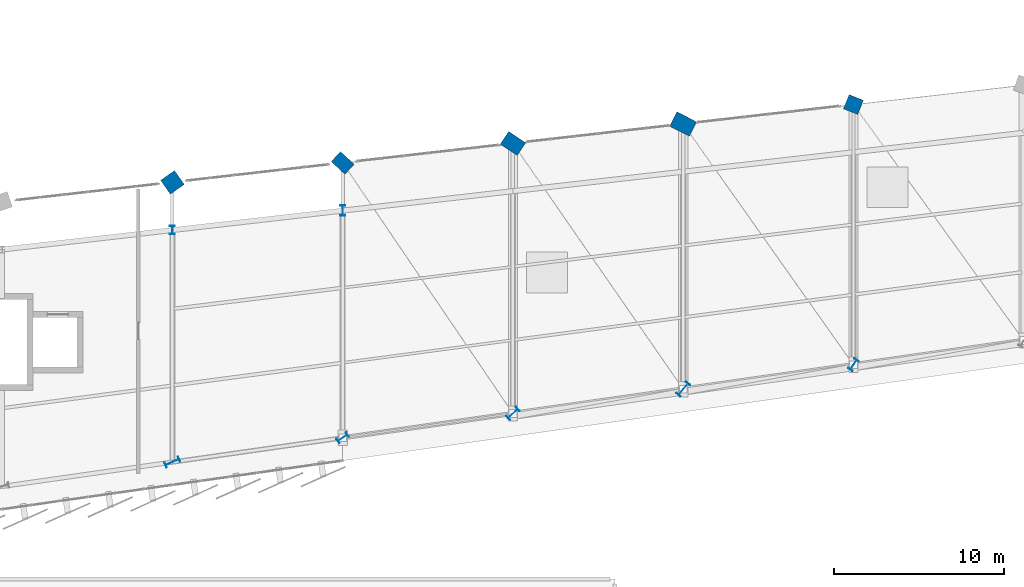
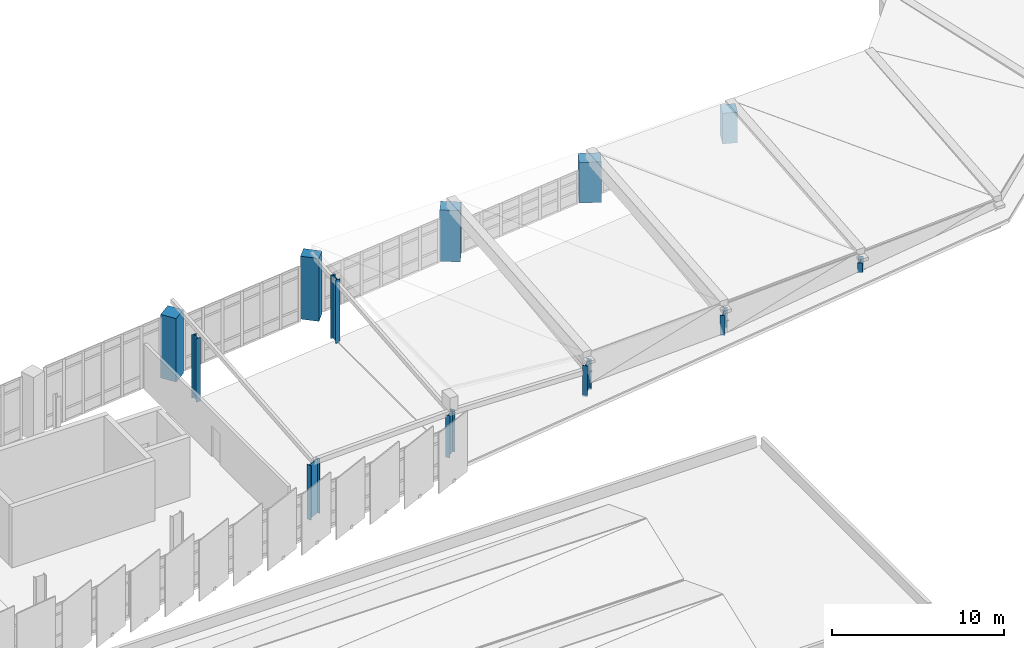
# One storey, part 4 of 67: 12 columns.
"""IFC4 building model written with IfcOpenShell, lengths in metres."""

from ifc_helpers import new_model, si_unit, direction, frame, origin, origin_2d, place, context, subcontext, project, spatial, rectangle, i_section, extrude, material, material_profile, profile_set, type_object, element, save


model = new_model("IFC4")

# Units and contexts
model_context = context("Model", 3, precision=1e-05, world=origin(), true_north=direction((0.0, 1.0)))
body_context = subcontext(model_context, "Body", "Model", "MODEL_VIEW")
ifc_project = project(units=[si_unit("LENGTHUNIT", "METRE"), si_unit("AREAUNIT", "SQUARE_METRE"), si_unit("VOLUMEUNIT", "CUBIC_METRE"), si_unit("PLANEANGLEUNIT", "RADIAN"), si_unit("MASSUNIT", "GRAM", prefix="KILO")], contexts=[model_context])

# Site, building, storey
site_placement = place(None, origin())
site = spatial("IfcSite", under=ifc_project, at=site_placement, CompositionType="ELEMENT")
building_placement = place(site_placement, origin())
building = spatial("IfcBuilding", under=site, at=building_placement, Name="Sohan Crest Arena", CompositionType="ELEMENT")
storey_placement = place(building_placement, frame((0.0, 0.0, 22.5)))
storey = spatial("IfcBuildingStorey", under=building, at=storey_placement, Name="L05", CompositionType="ELEMENT", Elevation=22.5)

# Columns
ifc_material_1 = material(Name="Concrete C40/50", Category="concrete")
ifc_material_profile_1 = material_profile(ifc_material_1, rectangle(XDim=0.89990234375, YDim=0.89990234375, at=origin_2d()), Name="RC 900x900")
ifc_profile_set_1 = profile_set([ifc_material_profile_1], Name="Concrete C40/50")
column_type_1 = type_object("IfcColumnType", Name="STR-COL-C07", PredefinedType="COLUMN", material=ifc_profile_set_1)
column_1_placement = place(storey_placement, frame((158.0, 53.85693359375, 0.0), z_axis=(0.0, 0.0, 1.0), x_axis=(-0.927836253899, 0.372987782576, 0.0)))
element("IfcColumn", 1, at=column_1_placement, inside=storey, type_object=column_type_1, Name="Structural column COL-V1R-19-L05", PredefinedType="COLUMN", context=body_context, shape_type="SweptSolid", body=[
    extrude(rectangle(XDim=0.89990234375, YDim=0.89990234375, at=origin_2d()), origin(), (0.0, 0.0, 1.0), 2.16796875),
])
ifc_material_profile_2 = material_profile(ifc_material_1, rectangle(XDim=1.0, YDim=1.0, at=origin_2d()), Name="RC 1000x1000")
ifc_profile_set_2 = profile_set([ifc_material_profile_2], Name="Concrete C40/50")
column_type_2 = type_object("IfcColumnType", Name="STR-COL-C09", PredefinedType="COLUMN", material=ifc_profile_set_2)
column_2_placement = place(storey_placement, frame((118.0, 49.285888671875, 0.0), z_axis=(0.0, 0.0, 1.0), x_axis=(-0.572145873446, 0.820151875874, 0.0)))
element("IfcColumn", 2, at=column_2_placement, inside=storey, type_object=column_type_2, Name="Structural column COL-V1R-15-L05", PredefinedType="COLUMN", context=body_context, shape_type="SweptSolid", body=[
    extrude(rectangle(XDim=1.0, YDim=1.0, at=origin_2d()), origin(), (0.0, 0.0, 1.0), 4.5),
])
ifc_material_profile_3 = material_profile(ifc_material_1, rectangle(XDim=1.10009765625, YDim=0.800048828125, at=origin_2d()), Name="RC 1100x800")
ifc_profile_set_3 = profile_set([ifc_material_profile_3], Name="Concrete C40/50")
column_type_3 = type_object("IfcColumnType", Name="STR-COL-C10", PredefinedType="COLUMN", material=ifc_profile_set_3)
column_3_placement = place(storey_placement, frame((128.0, 50.428955078125, 0.0), z_axis=(0.0, 0.0, 1.0), x_axis=(-0.73609708712, 0.676875969683, 0.0)))
element("IfcColumn", 3, at=column_3_placement, inside=storey, type_object=column_type_3, Name="Structural column COL-V1R-16-L05", PredefinedType="COLUMN", context=body_context, shape_type="SweptSolid", body=[
    extrude(rectangle(XDim=1.10009765625, YDim=0.800048828125, at=origin_2d()), origin(), (0.0, 0.0, 1.0), 4.45703125),
])
ifc_material_profile_4 = material_profile(ifc_material_1, rectangle(XDim=1.199951171875, YDim=0.89990234375, at=origin_2d()), Name="RC 1200x900")
ifc_profile_set_4 = profile_set([ifc_material_profile_4], Name="Concrete C40/50")
column_type_4 = type_object("IfcColumnType", Name="STR-COL-C11", PredefinedType="COLUMN", material=ifc_profile_set_4)
column_4_placement = place(storey_placement, frame((138.0, 51.571044921875, 0.0), z_axis=(0.0, 0.0, 1.0), x_axis=(-0.833885822067, 0.551936985312, 0.0)))
element("IfcColumn", 4, at=column_4_placement, inside=storey, type_object=column_type_4, Name="Structural column COL-V1R-17-L05", PredefinedType="COLUMN", context=body_context, shape_type="SweptSolid", body=[
    extrude(rectangle(XDim=1.199951171875, YDim=0.89990234375, at=origin_2d()), origin(), (0.0, 0.0, 1.0), 3.639892578125),
])
ifc_material_profile_5 = material_profile(ifc_material_1, rectangle(XDim=1.300048828125, YDim=0.949951171875, at=origin_2d()), Name="RC 1300x950")
ifc_profile_set_5 = profile_set([ifc_material_profile_5], Name="Concrete C40/50")
column_type_5 = type_object("IfcColumnType", Name="STR-COL-C12", PredefinedType="COLUMN", material=ifc_profile_set_5)
column_5_placement = place(storey_placement, frame((148.0, 52.714111328125, 0.0), z_axis=(0.0, 0.0, 1.0), x_axis=(-0.892585818452, 0.450877540689, 0.0)))
element("IfcColumn", 5, at=column_5_placement, inside=storey, type_object=column_type_5, Name="Structural column COL-V1R-18-L05", PredefinedType="COLUMN", context=body_context, shape_type="SweptSolid", body=[
    extrude(rectangle(XDim=1.300048828125, YDim=0.949951171875, at=origin_2d()), origin(), (0.0, 0.0, 1.0), 2.873046875),
])
ifc_material_2 = material(Name="Steel S355", Category="steel")
ifc_material_profile_6 = material_profile(ifc_material_2, i_section(OverallWidth=0.300048828125, OverallDepth=0.5, WebThickness=0.014404296875, FlangeThickness=0.028076171875, at=origin_2d()), Name="HEB 500")
ifc_profile_set_6 = profile_set([ifc_material_profile_6], Name="Steel S355")
column_type_6 = type_object("IfcColumnType", Name="STR-COL-C19", PredefinedType="COLUMN", material=ifc_profile_set_6)
column_6_placement = place(storey_placement, frame((118.0, 46.486083984375, 0.0), z_axis=(0.0, 0.0, 1.0), x_axis=(1.0, 0.0, 0.0)))
element("IfcColumn", 6, at=column_6_placement, inside=storey, type_object=column_type_6, Name="Structural column COL-V2I-15-L05", PredefinedType="COLUMN", context=body_context, shape_type="SweptSolid", body=[
    extrude(i_section(OverallWidth=0.300048828125, OverallDepth=0.5, WebThickness=0.014404296875, FlangeThickness=0.028076171875, at=origin_2d()), origin(), (0.0, 0.0, 1.0), 4.5),
])
ifc_material_profile_7 = material_profile(ifc_material_2, i_section(OverallWidth=0.300048828125, OverallDepth=0.60009765625, WebThickness=0.015380859375, FlangeThickness=0.030029296875, at=origin_2d()), Name="HEB 600")
ifc_profile_set_7 = profile_set([ifc_material_profile_7], Name="Steel S355")
column_type_7 = type_object("IfcColumnType", Name="STR-COL-C20", PredefinedType="COLUMN", material=ifc_profile_set_7)
column_7_placement = place(storey_placement, frame((128.0, 47.62890625, 0.0), z_axis=(0.0, 0.0, 1.0), x_axis=(1.0, 0.0, 0.0)))
element("IfcColumn", 7, at=column_7_placement, inside=storey, type_object=column_type_7, Name="Structural column COL-V2I-16-L05", PredefinedType="COLUMN", context=body_context, shape_type="SweptSolid", body=[
    extrude(i_section(OverallWidth=0.300048828125, OverallDepth=0.60009765625, WebThickness=0.015380859375, FlangeThickness=0.030029296875, at=origin_2d()), origin(), (0.0, 0.0, 1.0), 4.5),
])
ifc_material_profile_8 = material_profile(ifc_material_2, i_section(OverallWidth=0.300048828125, OverallDepth=0.699951171875, WebThickness=0.01708984375, FlangeThickness=0.031982421875, at=origin_2d()), Name="HEB 700")
ifc_profile_set_8 = profile_set([ifc_material_profile_8], Name="Steel S355")
column_type_8 = type_object("IfcColumnType", Name="STR-COL-C21", PredefinedType="COLUMN", material=ifc_profile_set_8)
column_8_placement = place(storey_placement, frame((128.0, 34.285888671875, 0.0), z_axis=(0.0, 0.0, 1.0), x_axis=(-0.566406236925, 0.824126188622, 0.0)))
element("IfcColumn", 8, at=column_8_placement, inside=storey, type_object=column_type_8, Name="Structural column COL-V2O-16-L05", PredefinedType="COLUMN", context=body_context, shape_type="SweptSolid", body=[
    extrude(i_section(OverallWidth=0.300048828125, OverallDepth=0.699951171875, WebThickness=0.01708984375, FlangeThickness=0.031982421875, at=origin_2d()), origin(), (0.0, 0.0, 1.0), 3.007080078125),
])
column_9_placement = place(storey_placement, frame((158.0, 38.571044921875, 0.0), z_axis=(0.0, 0.0, 1.0), x_axis=(-0.835807361368, 0.549022817998, 0.0)))
element("IfcColumn", 9, at=column_9_placement, inside=storey, type_object=column_type_8, Name="Structural column COL-V2O-19-L05", PredefinedType="COLUMN", context=body_context, shape_type="SweptSolid", body=[
    extrude(i_section(OverallWidth=0.300048828125, OverallDepth=0.699951171875, WebThickness=0.01708984375, FlangeThickness=0.031982421875, at=origin_2d()), origin(), (0.0, 0.0, 1.0), 0.718017578125),
])
ifc_material_profile_9 = material_profile(ifc_material_2, i_section(OverallWidth=0.300048828125, OverallDepth=0.800048828125, WebThickness=0.017578125, FlangeThickness=0.032958984375, at=origin_2d()), Name="HEB 800")
ifc_profile_set_9 = profile_set([ifc_material_profile_9], Name="Steel S355")
column_type_9 = type_object("IfcColumnType", Name="STR-COL-C22", PredefinedType="COLUMN", material=ifc_profile_set_9)
column_10_placement = place(storey_placement, frame((138.0, 35.714111328125, 0.0), z_axis=(0.0, 0.0, 1.0), x_axis=(-0.687087510804, 0.726574670971, 0.0)))
element("IfcColumn", 10, at=column_10_placement, inside=storey, type_object=column_type_9, Name="Structural column COL-V2O-17-L05", PredefinedType="COLUMN", context=body_context, shape_type="SweptSolid", body=[
    extrude(i_section(OverallWidth=0.300048828125, OverallDepth=0.800048828125, WebThickness=0.017578125, FlangeThickness=0.032958984375, at=origin_2d()), origin(), (0.0, 0.0, 1.0), 2.18994140625),
])
ifc_material_profile_10 = material_profile(ifc_material_2, i_section(OverallWidth=0.300048828125, OverallDepth=0.89990234375, WebThickness=0.0185546875, FlangeThickness=0.034912109375, at=origin_2d()), Name="HEB 900")
ifc_profile_set_10 = profile_set([ifc_material_profile_10], Name="Steel S355")
column_type_10 = type_object("IfcColumnType", Name="STR-COL-C23", PredefinedType="COLUMN", material=ifc_profile_set_10)
column_11_placement = place(storey_placement, frame((118.0, 32.85693359375, 0.0), z_axis=(0.0, 0.0, 1.0), x_axis=(-0.40514158678, 0.914253955234, 0.0)))
element("IfcColumn", 11, at=column_11_placement, inside=storey, type_object=column_type_10, Name="Structural column COL-V2O-15-L05", PredefinedType="COLUMN", context=body_context, shape_type="SweptSolid", body=[
    extrude(i_section(OverallWidth=0.300048828125, OverallDepth=0.89990234375, WebThickness=0.0185546875, FlangeThickness=0.034912109375, at=origin_2d()), origin(), (0.0, 0.0, 1.0), 3.866943359375),
])
column_12_placement = place(storey_placement, frame((148.0, 37.14306640625, 0.0), z_axis=(0.0, 0.0, 1.0), x_axis=(-0.773840209727, 0.633380872628, 0.0)))
element("IfcColumn", 12, at=column_12_placement, inside=storey, type_object=column_type_10, Name="Structural column COL-V2O-18-L05", PredefinedType="COLUMN", context=body_context, shape_type="SweptSolid", body=[
    extrude(i_section(OverallWidth=0.300048828125, OverallDepth=0.89990234375, WebThickness=0.0185546875, FlangeThickness=0.034912109375, at=origin_2d()), origin(), (0.0, 0.0, 1.0), 1.423095703125),
])

save(model, "model.ifc")
